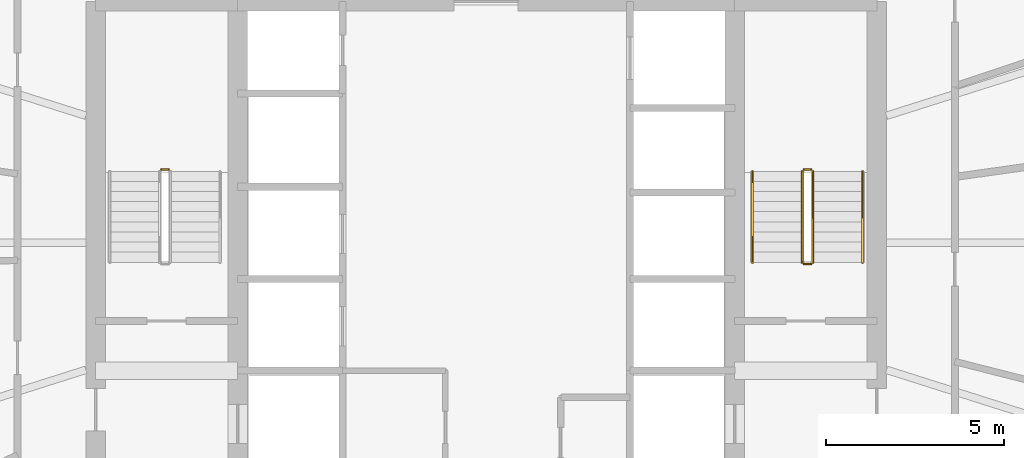
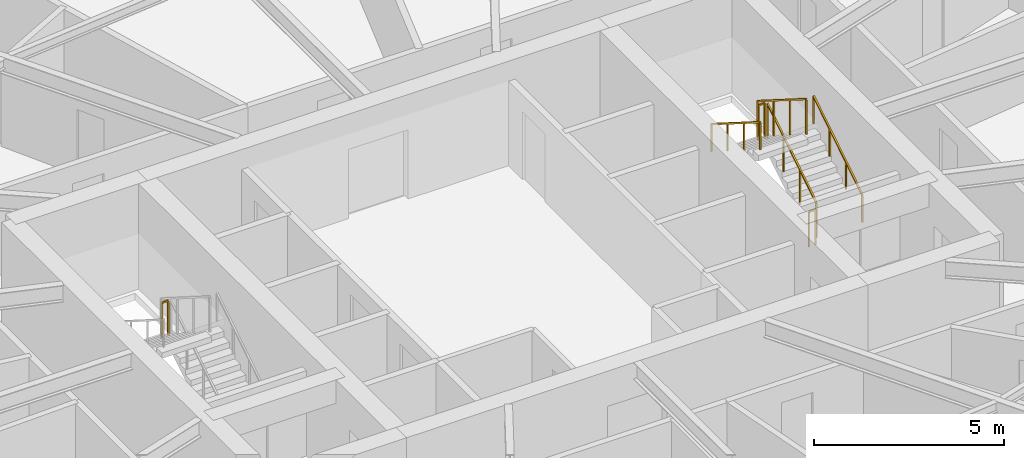
# One storey, part 24 of 24: 7 railings.
"""IFC4 building model written with IfcOpenShell, lengths in metres."""

from ifc_helpers import new_model, si_unit, direction, frame, origin, origin_2d, place, context, subcontext, project, spatial, rectangle, extrude, material, type_object, element, save


model = new_model("IFC4")

# Units and contexts
model_context = context("Model", 3, precision=1e-05, world=origin(), true_north=direction((0.0, 1.0)))
body_context = subcontext(model_context, "Body", "Model", "MODEL_VIEW")
ifc_project = project(units=[si_unit("LENGTHUNIT", "METRE"), si_unit("AREAUNIT", "SQUARE_METRE"), si_unit("VOLUMEUNIT", "CUBIC_METRE"), si_unit("PLANEANGLEUNIT", "RADIAN"), si_unit("MASSUNIT", "GRAM", prefix="KILO")], contexts=[model_context])

# Site, building, storey
site_placement = place(None, origin())
site = spatial("IfcSite", under=ifc_project, at=site_placement, CompositionType="ELEMENT")
building_placement = place(site_placement, origin())
building = spatial("IfcBuilding", under=site, at=building_placement, Name="Sarneth Arch Tower", CompositionType="ELEMENT")
storey_placement = place(building_placement, frame((0.0, 0.0, 116.39990234375)))
storey = spatial("IfcBuildingStorey", under=building, at=storey_placement, Name="L29", CompositionType="ELEMENT", Elevation=116.39990234375)

# Railings
ifc_material_1 = material(Name="Brushed Stainless Steel 304 tubular handrail", Category="steel")
railing_type_1 = type_object("IfcRailingType", Name="RAIL-HANDRAIL-900", PredefinedType="HANDRAIL", material=ifc_material_1)
railing_1_placement = place(storey_placement, frame((58.60009765625, 41.449951171875, 0.18017578125)))
element("IfcRailing", 1, at=railing_1_placement, inside=storey, type_object=railing_type_1, Name="L29 ST-2 stair handrail 1", PredefinedType="HANDRAIL", context=body_context, shape_type="SweptSolid", body=[
    extrude(rectangle(XDim=0.048095703125, YDim=0.048095703125, at=origin_2d()), frame((0.0, 0.0, 0.8759765625), z_axis=(0.0, 0.845502289212, 0.533971796014), x_axis=(-1.0, 0.0, 0.0)), (0.0, 0.0, 1.0), 3.03369140625),
    extrude(rectangle(XDim=0.0419921875, YDim=0.0419921875, at=origin_2d()), origin(), (0.0, 0.0, 1.0), 0.851806640625),
    extrude(rectangle(XDim=0.0419921875, YDim=0.0419921875, at=origin_2d()), frame((0.0, 0.85498046875, 0.5400390625)), (0.0, 0.0, 1.0), 0.851806640625),
    extrude(rectangle(XDim=0.0419921875, YDim=0.0419921875, at=origin_2d()), frame((0.0, 1.7099609375, 1.079833984375)), (0.0, 0.0, 1.0), 0.851806640625),
    extrude(rectangle(XDim=0.0419921875, YDim=0.0419921875, at=origin_2d()), frame((0.0, 2.56494140625, 1.619873046875)), (0.0, 0.0, 1.0), 0.851806640625),
])
railing_2_placement = place(storey_placement, frame((55.5, 44.014892578125, 1.97998046875)))
element("IfcRailing", 2, at=railing_2_placement, inside=storey, type_object=railing_type_1, Name="L29 ST-2 stair handrail 2", PredefinedType="HANDRAIL", context=body_context, shape_type="SweptSolid", body=[
    extrude(rectangle(XDim=0.048095703125, YDim=0.048095703125, at=origin_2d()), frame((0.0, 0.0, 0.8759765625), z_axis=(0.0, -0.845465955043, 0.534029323973), x_axis=(1.0, 0.0, 0.0)), (0.0, 0.0, 1.0), 3.03369140625),
    extrude(rectangle(XDim=0.0419921875, YDim=0.0419921875, at=origin_2d()), origin(), (0.0, 0.0, 1.0), 0.851806640625),
    extrude(rectangle(XDim=0.0419921875, YDim=0.0419921875, at=origin_2d()), frame((0.0, -0.85498046875, 0.5400390625)), (0.0, 0.0, 1.0), 0.851806640625),
    extrude(rectangle(XDim=0.0419921875, YDim=0.0419921875, at=origin_2d()), frame((0.0, -1.7099609375, 1.080078125)), (0.0, 0.0, 1.0), 0.851806640625),
    extrude(rectangle(XDim=0.0419921875, YDim=0.0419921875, at=origin_2d()), frame((0.0, -2.56494140625, 1.6201171875)), (0.0, 0.0, 1.0), 0.851806640625),
])
ifc_material_2 = material(Name="Painted Steel S275 stair well guard", Category="steel")
railing_type_2 = type_object("IfcRailingType", Name="RAIL-STAIR-GUARD", PredefinedType="GUARDRAIL", material=ifc_material_2)
railing_3_placement = place(storey_placement, frame((39.050048828125, 44.06494140625, 1.800048828125)))
element("IfcRailing", 3, at=railing_3_placement, inside=storey, type_object=railing_type_2, Name="L29 ST-1 stair guard 2", PredefinedType="GUARDRAIL", context=body_context, shape_type="SweptSolid", body=[
    extrude(rectangle(XDim=0.048095703125, YDim=0.048095703125, at=origin_2d()), frame((0.0, 0.0, 1.1259765625), z_axis=(-1.0, 0.0, 0.0), x_axis=(0.0, -1.0, 0.0)), (0.0, 0.0, 1.0), 0.199951171875),
    extrude(rectangle(XDim=0.0419921875, YDim=0.0419921875, at=origin_2d()), origin(), (0.0, 0.0, 1.0), 1.101806640625),
    extrude(rectangle(XDim=0.0419921875, YDim=0.0419921875, at=origin_2d()), frame((-0.199951171875, 0.0, 0.0)), (0.0, 0.0, 1.0), 1.101806640625),
])
railing_4_placement = place(storey_placement, frame((57.199951171875, 41.449951171875, 0.18017578125)))
element("IfcRailing", 4, at=railing_4_placement, inside=storey, type_object=railing_type_2, Name="L29 ST-2 stair guard 1", PredefinedType="GUARDRAIL", context=body_context, shape_type="SweptSolid", body=[
    extrude(rectangle(XDim=0.048095703125, YDim=0.048095703125, at=origin_2d()), frame((0.0, 0.0, 1.1259765625), z_axis=(0.0, 0.845502289212, 0.533971796014), x_axis=(-1.0, 0.0, 0.0)), (0.0, 0.0, 1.0), 3.03369140625),
    extrude(rectangle(XDim=0.0419921875, YDim=0.0419921875, at=origin_2d()), origin(), (0.0, 0.0, 1.0), 1.101806640625),
    extrude(rectangle(XDim=0.0419921875, YDim=0.0419921875, at=origin_2d()), frame((0.0, 0.85498046875, 0.5400390625)), (0.0, 0.0, 1.0), 1.101806640625),
    extrude(rectangle(XDim=0.0419921875, YDim=0.0419921875, at=origin_2d()), frame((0.0, 1.7099609375, 1.079833984375)), (0.0, 0.0, 1.0), 1.101806640625),
    extrude(rectangle(XDim=0.0419921875, YDim=0.0419921875, at=origin_2d()), frame((0.0, 2.56494140625, 1.619873046875)), (0.0, 0.0, 1.0), 1.101806640625),
])
railing_5_placement = place(storey_placement, frame((57.14990234375, 44.06494140625, 1.800048828125)))
element("IfcRailing", 5, at=railing_5_placement, inside=storey, type_object=railing_type_2, Name="L29 ST-2 stair guard 2", PredefinedType="GUARDRAIL", context=body_context, shape_type="SweptSolid", body=[
    extrude(rectangle(XDim=0.048095703125, YDim=0.048095703125, at=origin_2d()), frame((0.0, 0.0, 1.1259765625), z_axis=(-1.0, 0.0, 0.0), x_axis=(0.0, -1.0, 0.0)), (0.0, 0.0, 1.0), 0.199951171875),
    extrude(rectangle(XDim=0.0419921875, YDim=0.0419921875, at=origin_2d()), origin(), (0.0, 0.0, 1.0), 1.101806640625),
    extrude(rectangle(XDim=0.0419921875, YDim=0.0419921875, at=origin_2d()), frame((-0.199951171875, 0.0, 0.0)), (0.0, 0.0, 1.0), 1.101806640625),
])
railing_6_placement = place(storey_placement, frame((56.89990234375, 44.014892578125, 1.97998046875)))
element("IfcRailing", 6, at=railing_6_placement, inside=storey, type_object=railing_type_2, Name="L29 ST-2 stair guard 3", PredefinedType="GUARDRAIL", context=body_context, shape_type="SweptSolid", body=[
    extrude(rectangle(XDim=0.048095703125, YDim=0.048095703125, at=origin_2d()), frame((0.0, 0.0, 1.1259765625), z_axis=(0.0, -0.845465955043, 0.534029323973), x_axis=(1.0, 0.0, 0.0)), (0.0, 0.0, 1.0), 3.03369140625),
    extrude(rectangle(XDim=0.0419921875, YDim=0.0419921875, at=origin_2d()), origin(), (0.0, 0.0, 1.0), 1.101806640625),
    extrude(rectangle(XDim=0.0419921875, YDim=0.0419921875, at=origin_2d()), frame((0.0, -0.85498046875, 0.5400390625)), (0.0, 0.0, 1.0), 1.101806640625),
    extrude(rectangle(XDim=0.0419921875, YDim=0.0419921875, at=origin_2d()), frame((0.0, -1.7099609375, 1.080078125)), (0.0, 0.0, 1.0), 1.101806640625),
    extrude(rectangle(XDim=0.0419921875, YDim=0.0419921875, at=origin_2d()), frame((0.0, -2.56494140625, 1.6201171875)), (0.0, 0.0, 1.0), 1.101806640625),
])
railing_7_placement = place(storey_placement, frame((57.14990234375, 41.39990234375, 0.0)))
element("IfcRailing", 7, at=railing_7_placement, inside=storey, type_object=railing_type_2, Name="L29 ST-2 stair guard 4", PredefinedType="GUARDRAIL", context=body_context, shape_type="SweptSolid", body=[
    extrude(rectangle(XDim=0.048095703125, YDim=0.048095703125, at=origin_2d()), frame((0.0, 0.0, 1.1259765625), z_axis=(-1.0, 0.0, 0.0), x_axis=(0.0, -1.0, 0.0)), (0.0, 0.0, 1.0), 0.199951171875),
    extrude(rectangle(XDim=0.0419921875, YDim=0.0419921875, at=origin_2d()), origin(), (0.0, 0.0, 1.0), 1.101806640625),
    extrude(rectangle(XDim=0.0419921875, YDim=0.0419921875, at=origin_2d()), frame((-0.199951171875, 0.0, 0.0)), (0.0, 0.0, 1.0), 1.101806640625),
])

save(model, "model.ifc")
